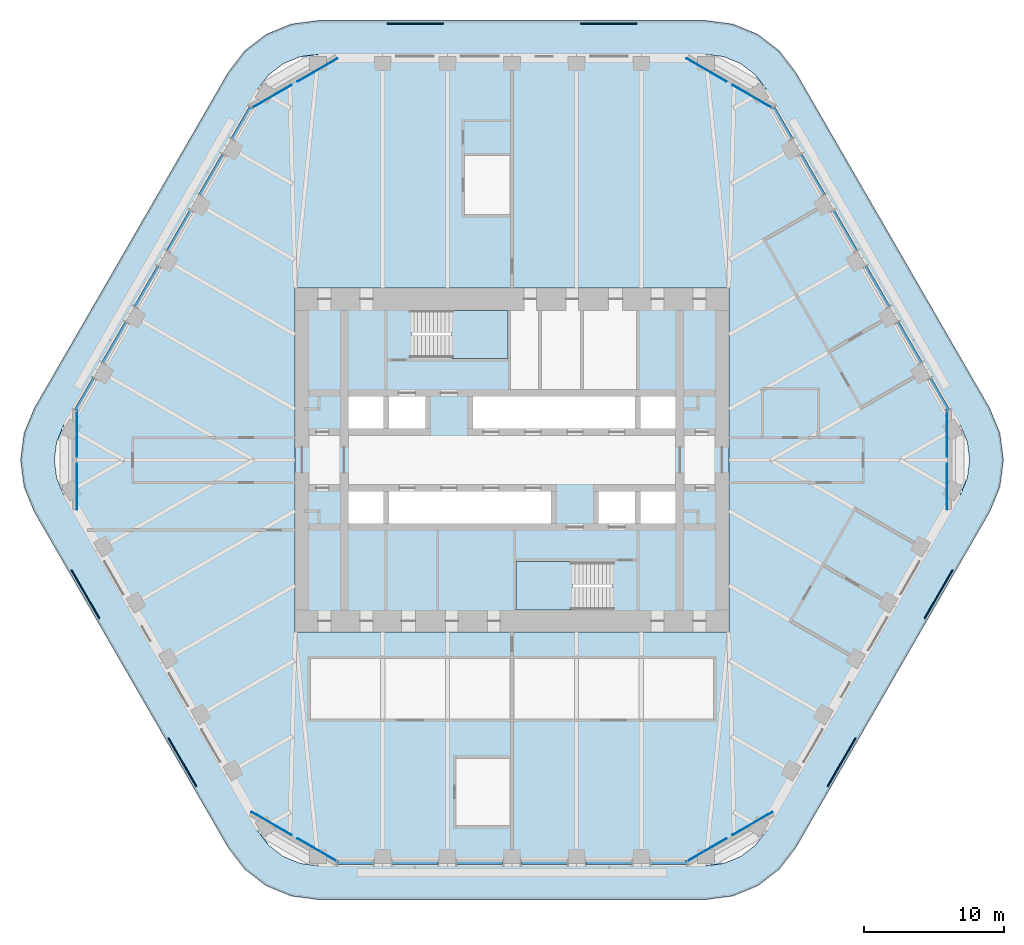
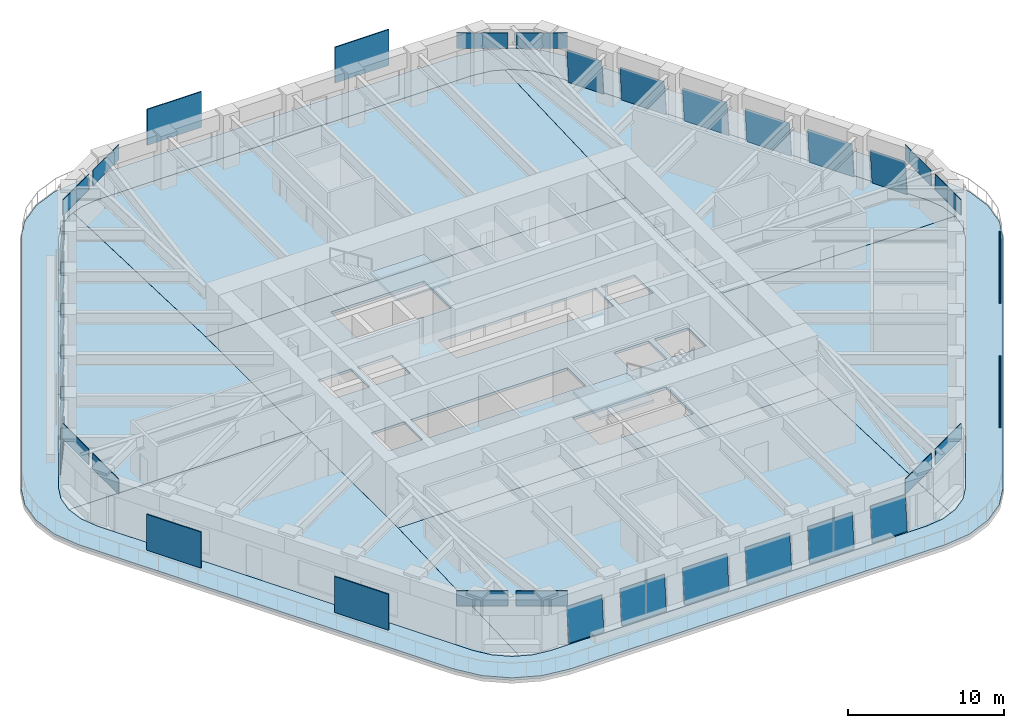
# One storey, part 13 of 20: 36 plates, 10 slabs, 20 elements without a shape of their own.
"""IFC4 building model written with IfcOpenShell, lengths in metres."""

from ifc_helpers import new_model, si_unit, direction, frame, origin, origin_2d, place, context, subcontext, project, spatial, polyline, rectangle, outline, extrude, material, layer, layer_set, type_object, element, aggregate, save


model = new_model("IFC4")

# Units and contexts
model_context = context("Model", 3, precision=1e-05, world=origin(), true_north=direction((0.0, 1.0)))
body_context = subcontext(model_context, "Body", "Model", "MODEL_VIEW")
ifc_project = project(units=[si_unit("LENGTHUNIT", "METRE"), si_unit("AREAUNIT", "SQUARE_METRE"), si_unit("VOLUMEUNIT", "CUBIC_METRE"), si_unit("PLANEANGLEUNIT", "RADIAN"), si_unit("MASSUNIT", "GRAM", prefix="KILO")], contexts=[model_context])

# Site, building, storey
site_placement = place(None, origin())
site = spatial("IfcSite", under=ifc_project, at=site_placement, CompositionType="ELEMENT")
building_placement = place(site_placement, origin())
building = spatial("IfcBuilding", under=site, at=building_placement, Name="Tarfa Lantern Tower", CompositionType="ELEMENT")
storey_placement = place(building_placement, frame((0.0, 0.0, 257.5)))
storey = spatial("IfcBuildingStorey", under=building, at=storey_placement, Name="L58", CompositionType="ELEMENT", Elevation=257.5)

# Slab
ifc_material_1 = material(Name="Concrete C40/50", Category="concrete")
ifc_layer_1 = layer(ifc_material_1, 0.199951171875)
ifc_layer_set_1 = layer_set([ifc_layer_1], Name="BS2 BALCONY SLAB 200")
slab_type_1 = type_object("IfcSlabType", Name="BS2 BALCONY SLAB 200", PredefinedType="FLOOR", material=ifc_layer_set_1)
slab_1_placement = place(storey_placement, frame((0.0, 0.0, -0.199951171875)))
element("IfcSlab", 1, at=slab_1_placement, inside=storey, type_object=slab_type_1, Name="Balcony L58", PredefinedType="FLOOR", context=body_context, shape_type="SweptSolid", body=[
    extrude(outline(polyline([(34.121337890625, 3.699951171875), (20.264892578125, 27.699951171875), (19.089111328125, 29.232666015625), (17.556396484375, 30.40869140625), (15.771728515625, 31.14794921875), (13.8564453125, 31.39990234375), (-13.8564453125, 31.39990234375), (-15.771728515625, 31.14794921875), (-17.556396484375, 30.40869140625), (-19.089111328125, 29.232666015625), (-20.264892578125, 27.699951171875), (-34.121337890625, 3.699951171875), (-34.860595703125, 1.915283203125), (-35.11279296875, 0.0), (-34.860595703125, -1.915283203125), (-34.121337890625, -3.699951171875), (-20.264892578125, -27.699951171875), (-19.089111328125, -29.232666015625), (-17.556396484375, -30.40869140625), (-15.771728515625, -31.14794921875), (-13.8564453125, -31.39990234375), (13.8564453125, -31.39990234375), (15.771728515625, -31.14794921875), (17.556396484375, -30.40869140625), (19.089111328125, -29.232666015625), (20.264892578125, -27.699951171875), (34.121337890625, -3.699951171875), (34.860595703125, -1.915283203125), (35.11279296875, 0.0), (34.860595703125, 1.915283203125), (34.121337890625, 3.699951171875)]), holes=[polyline([(32.04296875, 2.5), (18.1865234375, 26.5), (17.391845703125, 27.53564453125), (16.3564453125, 28.330078125), (15.150390625, 28.82958984375), (13.8564453125, 29.0), (-13.8564453125, 29.0), (-15.150390625, 28.82958984375), (-16.3564453125, 28.330078125), (-17.391845703125, 27.53564453125), (-18.1865234375, 26.5), (-32.04296875, 2.5), (-32.54248046875, 1.294189453125), (-32.712890625, 0.0), (-32.54248046875, -1.294189453125), (-32.04296875, -2.5), (-18.1865234375, -26.5), (-17.391845703125, -27.53564453125), (-16.3564453125, -28.330078125), (-15.150390625, -28.82958984375), (-13.8564453125, -29.0), (13.8564453125, -29.0), (15.150390625, -28.82958984375), (16.3564453125, -28.330078125), (17.391845703125, -27.53564453125), (18.1865234375, -26.5), (32.04296875, -2.5), (32.54248046875, -1.294189453125), (32.712890625, 0.0), (32.54248046875, 1.294189453125), (32.04296875, 2.5)])]), origin(), (0.0, 0.0, 1.0), 0.199951171875),
])

# Curtain wall, plate
ifc_material_2 = material(Name="Aluminium framed curtain wall", Category="aluminium")
curtain_wall_type = type_object("IfcCurtainWallType", Name="CW3 CANTED GLAZING HIGH ZONE 2800", PredefinedType="USERDEFINED", material=ifc_material_2)
curtain_wall_1_placement = place(storey_placement, origin())
curtain_wall_1 = element("IfcCurtainWall", 2, at=curtain_wall_1_placement, inside=storey, type_object=curtain_wall_type, Name="CW3 NE L58", ObjectType="CURTAIN WALL", PredefinedType="USERDEFINED")
ifc_material_3 = material(Name="Laminated double glazing", Category="glass")
ifc_layer_2 = layer(ifc_material_3, 0.028076171875)
ifc_layer_set_2 = layer_set([ifc_layer_2], Name="CWP1 DOUBLE GLAZED PANEL")
plate_type_1 = type_object("IfcPlateType", Name="CWP1 DOUBLE GLAZED PANEL", PredefinedType="CURTAIN_PANEL", material=ifc_layer_set_2)
plate_1_placement = place(storey_placement, frame((31.27392578125, 3.632080078125, 0.0), z_axis=(0.862605487661, 0.497996623416, 0.088944565453), x_axis=(-0.499978528097, 0.866037800231, 3.617793e-06)))
plate_1 = element("IfcPlate", 3, at=plate_1_placement, type_object=plate_type_1, Name="CW3 panel 1.1", PredefinedType="CURTAIN_PANEL", context=body_context, shape_type="SweptSolid", body=[
    extrude(outline(polyline([(0.0, 0.0), (2.5887966981179544, 1.3877787807814457e-17), (2.5887974391712834, 2.745981540411079), (0.00012280612366526554, 2.7460003459662934), (0.0, 0.0)])), origin(), (0.0, 0.0, -1.0), 0.028076171875),
])
aggregate(curtain_wall_1, [plate_1])

curtain_wall_2_placement = place(storey_placement, origin())
curtain_wall_2 = element("IfcCurtainWall", 4, at=curtain_wall_2_placement, inside=storey, type_object=curtain_wall_type, Name="CW3 NE L58", ObjectType="CURTAIN WALL", PredefinedType="USERDEFINED")
plate_2_placement = place(storey_placement, frame((29.314453125, 7.02587890625, 0.0), z_axis=(0.862575705038, 0.498055027356, 0.088906370994), x_axis=(-0.500035172766, 0.866005095826, 0.0)))
plate_2 = element("IfcPlate", 5, at=plate_2_placement, type_object=plate_type_1, Name="CW3 panel 1.1", PredefinedType="CURTAIN_PANEL", context=body_context, shape_type="SweptSolid", body=[
    extrude(outline(polyline([(0.0, 0.0), (3.2888311454247456, -2.7755575615628914e-17), (3.288837959805127, 2.7459815424216334), (6.8143803815395865e-06, 2.7459815424216334), (0.0, 0.0)])), origin(), (0.0, 0.0, -1.0), 0.028076171875),
])
aggregate(curtain_wall_2, [plate_2])

curtain_wall_3_placement = place(storey_placement, origin())
curtain_wall_3 = element("IfcCurtainWall", 6, at=curtain_wall_3_placement, inside=storey, type_object=curtain_wall_type, Name="CW3 NE L58", ObjectType="CURTAIN WALL", PredefinedType="USERDEFINED")
plate_3_placement = place(storey_placement, frame((27.005126953125, 11.02587890625, 0.0), z_axis=(0.862588760912, 0.498025595673, 0.088944564774), x_axis=(-0.500007556049, 0.866021041249, 2.847683e-06)))
plate_3 = element("IfcPlate", 7, at=plate_3_placement, type_object=plate_type_1, Name="CW3 panel 1.1", PredefinedType="CURTAIN_PANEL", context=body_context, shape_type="SweptSolid", body=[
    extrude(outline(polyline([(0.0, 0.0), (3.2888311437391393, -2.7755575615628914e-17), (3.288837961490737, 2.745981540402794), (0.00012888990883615277, 2.7460003456875546), (0.0, 0.0)])), origin(), (0.0, 0.0, -1.0), 0.028076171875),
])
aggregate(curtain_wall_3, [plate_3])

curtain_wall_4_placement = place(storey_placement, origin())
curtain_wall_4 = element("IfcCurtainWall", 8, at=curtain_wall_4_placement, inside=storey, type_object=curtain_wall_type, Name="CW3 NE L58", ObjectType="CURTAIN WALL", PredefinedType="USERDEFINED")
plate_4_placement = place(storey_placement, frame((24.695556640625, 15.02587890625, 0.0), z_axis=(0.862607722597, 0.497999572406, 0.08890637097), x_axis=(-0.499979497339, 0.866037240677, 0.0)))
plate_4 = element("IfcPlate", 9, at=plate_4_placement, type_object=plate_type_1, Name="CW3 panel 1.1", PredefinedType="CURTAIN_PANEL", context=body_context, shape_type="SweptSolid", body=[
    extrude(outline(polyline([(0.0, 0.0), (3.2887090733213356, 0.0), (3.2887001925491877, 2.745981542415729), (-8.880772147612515e-06, 2.745981542415729), (0.0, 0.0)])), origin(), (0.0, 0.0, -1.0), 0.028076171875),
])
aggregate(curtain_wall_4, [plate_4])

curtain_wall_5_placement = place(storey_placement, origin())
curtain_wall_5 = element("IfcCurtainWall", 10, at=curtain_wall_5_placement, inside=storey, type_object=curtain_wall_type, Name="CW3 NE L58", ObjectType="CURTAIN WALL", PredefinedType="USERDEFINED")
plate_5_placement = place(storey_placement, frame((22.38623046875, 19.02587890625, 0.0), z_axis=(0.862588760912, 0.498025595673, 0.088944564774), x_axis=(-0.500007115594, 0.866021295551, -2.847789e-06)))
plate_5 = element("IfcPlate", 11, at=plate_5_placement, type_object=plate_type_1, Name="CW3 panel 1.1", PredefinedType="CURTAIN_PANEL", context=body_context, shape_type="SweptSolid", body=[
    extrude(outline(polyline([(0.0, 0.0), (3.288709071635666, 0.0), (3.2888222595418823, 2.746000346379671), (-8.884143489794055e-06, 2.7459815403968855), (0.0, 0.0)])), origin(), (0.0, 0.0, -1.0), 0.028076171875),
])
aggregate(curtain_wall_5, [plate_5])

curtain_wall_6_placement = place(storey_placement, origin())
curtain_wall_6 = element("IfcCurtainWall", 12, at=curtain_wall_6_placement, inside=storey, type_object=curtain_wall_type, Name="CW3 NE L58", ObjectType="CURTAIN WALL", PredefinedType="USERDEFINED")
plate_6_placement = place(storey_placement, frame((20.076904296875, 23.02587890625, 0.0), z_axis=(0.862605487661, 0.497996623416, 0.088944565453), x_axis=(-0.499978528097, 0.866037800231, 3.617793e-06)))
plate_6 = element("IfcPlate", 13, at=plate_6_placement, type_object=plate_type_1, Name="CW3 panel 1.1", PredefinedType="CURTAIN_PANEL", context=body_context, shape_type="SweptSolid", body=[
    extrude(outline(polyline([(0.0, 0.0), (2.5887966981179544, 1.3877787807814457e-17), (2.5887974391712834, 2.745981540411079), (0.00012280612366526554, 2.7460003459662934), (0.0, 0.0)])), origin(), (0.0, 0.0, -1.0), 0.028076171875),
])
aggregate(curtain_wall_6, [plate_6])

curtain_wall_7_placement = place(storey_placement, origin())
curtain_wall_7 = element("IfcCurtainWall", 14, at=curtain_wall_7_placement, inside=storey, type_object=curtain_wall_type, Name="CW3 NW L58", ObjectType="CURTAIN WALL", PredefinedType="USERDEFINED")
plate_7_placement = place(storey_placement, frame((-18.782470703125, 25.267822265625, 0.0), z_axis=(-0.862605487661, 0.497996623416, 0.088944565453), x_axis=(-0.499978528097, -0.866037800231, -3.617793e-06)))
plate_7 = element("IfcPlate", 15, at=plate_7_placement, type_object=plate_type_1, Name="CW3 panel 1.1", PredefinedType="CURTAIN_PANEL", context=body_context, shape_type="SweptSolid", body=[
    extrude(outline(polyline([(0.0, 0.0), (2.5887966981179544, -1.3877787807814457e-17), (2.588673891994289, 2.7460003459662934), (-7.410533290658136e-07, 2.745981540411079), (0.0, 0.0)])), origin(), (0.0, 0.0, -1.0), 0.028076171875),
])
aggregate(curtain_wall_7, [plate_7])

curtain_wall_8_placement = place(storey_placement, origin())
curtain_wall_8 = element("IfcCurtainWall", 16, at=curtain_wall_8_placement, inside=storey, type_object=curtain_wall_type, Name="CW3 NW L58", ObjectType="CURTAIN WALL", PredefinedType="USERDEFINED")
plate_8_placement = place(storey_placement, frame((-20.741943359375, 21.8740234375, 0.0), z_axis=(-0.862588760912, 0.498025595673, 0.088944564774), x_axis=(-0.500007115594, -0.866021295551, 2.847789e-06)))
plate_8 = element("IfcPlate", 17, at=plate_8_placement, type_object=plate_type_1, Name="CW3 panel 1.1", PredefinedType="CURTAIN_PANEL", context=body_context, shape_type="SweptSolid", body=[
    extrude(outline(polyline([(0.0, 0.0), (3.288709071635666, 0.0), (3.2887179557791564, 2.7459815403968855), (-0.00011318790621565488, 2.746000346379671), (0.0, 0.0)])), origin(), (0.0, 0.0, -1.0), 0.028076171875),
])
aggregate(curtain_wall_8, [plate_8])

curtain_wall_9_placement = place(storey_placement, origin())
curtain_wall_9 = element("IfcCurtainWall", 18, at=curtain_wall_9_placement, inside=storey, type_object=curtain_wall_type, Name="CW3 NW L58", ObjectType="CURTAIN WALL", PredefinedType="USERDEFINED")
plate_9_placement = place(storey_placement, frame((-23.05126953125, 17.8740234375, 0.0), z_axis=(-0.862607722597, 0.497999572406, 0.08890637097), x_axis=(-0.499979497339, -0.866037240677, 0.0)))
plate_9 = element("IfcPlate", 19, at=plate_9_placement, type_object=plate_type_1, Name="CW3 panel 1.1", PredefinedType="CURTAIN_PANEL", context=body_context, shape_type="SweptSolid", body=[
    extrude(outline(polyline([(0.0, 0.0), (3.2887090733213356, 0.0), (3.288717954093483, 2.745981542415729), (8.880772147612515e-06, 2.745981542415729), (0.0, 0.0)])), origin(), (0.0, 0.0, -1.0), 0.028076171875),
])
aggregate(curtain_wall_9, [plate_9])

curtain_wall_10_placement = place(storey_placement, origin())
curtain_wall_10 = element("IfcCurtainWall", 20, at=curtain_wall_10_placement, inside=storey, type_object=curtain_wall_type, Name="CW3 NW L58", ObjectType="CURTAIN WALL", PredefinedType="USERDEFINED")
plate_10_placement = place(storey_placement, frame((-25.360595703125, 13.8740234375, 0.0), z_axis=(-0.862588760912, 0.498025595673, 0.088944564774), x_axis=(-0.500007556049, -0.866021041249, -2.847683e-06)))
plate_10 = element("IfcPlate", 21, at=plate_10_placement, type_object=plate_type_1, Name="CW3 panel 1.1", PredefinedType="CURTAIN_PANEL", context=body_context, shape_type="SweptSolid", body=[
    extrude(outline(polyline([(0.0, 0.0), (3.2888311437391393, 2.7755575615628914e-17), (3.2887022538303037, 2.7460003456875546), (-6.817751597527018e-06, 2.745981540402794), (0.0, 0.0)])), origin(), (0.0, 0.0, -1.0), 0.028076171875),
])
aggregate(curtain_wall_10, [plate_10])

curtain_wall_11_placement = place(storey_placement, origin())
curtain_wall_11 = element("IfcCurtainWall", 22, at=curtain_wall_11_placement, inside=storey, type_object=curtain_wall_type, Name="CW3 NW L58", ObjectType="CURTAIN WALL", PredefinedType="USERDEFINED")
plate_11_placement = place(storey_placement, frame((-27.669921875, 9.8740234375, 0.0), z_axis=(-0.862575705038, 0.498055027356, 0.088906370994), x_axis=(-0.500035172766, -0.866005095826, 0.0)))
plate_11 = element("IfcPlate", 23, at=plate_11_placement, type_object=plate_type_1, Name="CW3 panel 1.1", PredefinedType="CURTAIN_PANEL", context=body_context, shape_type="SweptSolid", body=[
    extrude(outline(polyline([(0.0, 0.0), (3.2888311454247456, 2.7755575615628914e-17), (3.2888243310443643, 2.7459815424216334), (-6.8143803815395865e-06, 2.7459815424216334), (0.0, 0.0)])), origin(), (0.0, 0.0, -1.0), 0.028076171875),
])
aggregate(curtain_wall_11, [plate_11])

curtain_wall_12_placement = place(storey_placement, origin())
curtain_wall_12 = element("IfcCurtainWall", 24, at=curtain_wall_12_placement, inside=storey, type_object=curtain_wall_type, Name="CW3 NW L58", ObjectType="CURTAIN WALL", PredefinedType="USERDEFINED")
plate_12_placement = place(storey_placement, frame((-29.9794921875, 5.8740234375, 0.0), z_axis=(-0.862605487661, 0.497996623416, 0.088944565453), x_axis=(-0.499978528097, -0.866037800231, -3.617793e-06)))
plate_12 = element("IfcPlate", 25, at=plate_12_placement, type_object=plate_type_1, Name="CW3 panel 1.1", PredefinedType="CURTAIN_PANEL", context=body_context, shape_type="SweptSolid", body=[
    extrude(outline(polyline([(0.0, 0.0), (2.5887966981179544, -1.3877787807814457e-17), (2.588673891994289, 2.7460003459662934), (-7.410533290658136e-07, 2.745981540411079), (0.0, 0.0)])), origin(), (0.0, 0.0, -1.0), 0.028076171875),
])
aggregate(curtain_wall_12, [plate_12])

curtain_wall_13_placement = place(storey_placement, origin())
curtain_wall_13 = element("IfcCurtainWall", 26, at=curtain_wall_13_placement, inside=storey, type_object=curtain_wall_type, Name="CW3 S L58", ObjectType="CURTAIN WALL", PredefinedType="USERDEFINED")
plate_13_placement = place(storey_placement, frame((-12.491455078125, -28.89990234375, 0.0), z_axis=(0.0, -0.996039814532, 0.088908311571), x_axis=(1.0, 0.0, 0.0)))
plate_13 = element("IfcPlate", 27, at=plate_13_placement, type_object=plate_type_1, Name="CW3 panel 1.1", PredefinedType="CURTAIN_PANEL", context=body_context, shape_type="SweptSolid", body=[
    extrude(outline(polyline([(0.0, 0.0), (2.5888671875, 0.0), (2.5888671875, 2.745982019965007), (0.0, 2.745982019965007), (0.0, 0.0)])), origin(), (0.0, 0.0, -1.0), 0.028076171875),
])
aggregate(curtain_wall_13, [plate_13])

curtain_wall_14_placement = place(storey_placement, origin())
curtain_wall_14 = element("IfcCurtainWall", 28, at=curtain_wall_14_placement, inside=storey, type_object=curtain_wall_type, Name="CW3 S L58", ObjectType="CURTAIN WALL", PredefinedType="USERDEFINED")
plate_14_placement = place(storey_placement, frame((-8.572509765625, -28.89990234375, 0.0), z_axis=(0.0, -0.996039814532, 0.088908311571), x_axis=(1.0, 0.0, 0.0)))
plate_14 = element("IfcPlate", 29, at=plate_14_placement, type_object=plate_type_1, Name="CW3 panel 1.1", PredefinedType="CURTAIN_PANEL", context=body_context, shape_type="SweptSolid", body=[
    extrude(outline(polyline([(0.0, 0.0), (3.288818359375, 0.0), (3.288818359375, 2.745982019965007), (0.0, 2.745982019965007), (0.0, 0.0)])), origin(), (0.0, 0.0, -1.0), 0.028076171875),
])
aggregate(curtain_wall_14, [plate_14])

curtain_wall_15_placement = place(storey_placement, origin())
curtain_wall_15 = element("IfcCurtainWall", 30, at=curtain_wall_15_placement, inside=storey, type_object=curtain_wall_type, Name="CW3 S L58", ObjectType="CURTAIN WALL", PredefinedType="USERDEFINED")
plate_15_placement = place(storey_placement, frame((-3.953857421875, -28.89990234375, 0.0), z_axis=(0.0, -0.996039814532, 0.088908311571), x_axis=(1.0, 0.0, 0.0)))
plate_15 = element("IfcPlate", 31, at=plate_15_placement, type_object=plate_type_1, Name="CW3 panel 1.1", PredefinedType="CURTAIN_PANEL", context=body_context, shape_type="SweptSolid", body=[
    extrude(outline(polyline([(0.0, 0.0), (3.288818359375, 0.0), (3.288818359375, 2.745982019965007), (0.0, 2.745982019965007), (0.0, 0.0)])), origin(), (0.0, 0.0, -1.0), 0.028076171875),
])
aggregate(curtain_wall_15, [plate_15])

curtain_wall_16_placement = place(storey_placement, origin())
curtain_wall_16 = element("IfcCurtainWall", 32, at=curtain_wall_16_placement, inside=storey, type_object=curtain_wall_type, Name="CW3 S L58", ObjectType="CURTAIN WALL", PredefinedType="USERDEFINED")
plate_16_placement = place(storey_placement, frame((0.6650390625, -28.89990234375, 0.0), z_axis=(0.0, -0.996039814532, 0.088908311571), x_axis=(1.0, 0.0, 0.0)))
plate_16 = element("IfcPlate", 33, at=plate_16_placement, type_object=plate_type_1, Name="CW3 panel 1.1", PredefinedType="CURTAIN_PANEL", context=body_context, shape_type="SweptSolid", body=[
    extrude(outline(polyline([(0.0, 0.0), (3.288818359375, 0.0), (3.288818359375, 2.745982019965007), (0.0, 2.745982019965007), (0.0, 0.0)])), origin(), (0.0, 0.0, -1.0), 0.028076171875),
])
aggregate(curtain_wall_16, [plate_16])

curtain_wall_17_placement = place(storey_placement, origin())
curtain_wall_17 = element("IfcCurtainWall", 34, at=curtain_wall_17_placement, inside=storey, type_object=curtain_wall_type, Name="CW3 S L58", ObjectType="CURTAIN WALL", PredefinedType="USERDEFINED")
plate_17_placement = place(storey_placement, frame((5.28369140625, -28.89990234375, 0.0), z_axis=(0.0, -0.996039814532, 0.088908311571), x_axis=(1.0, 0.0, 0.0)))
plate_17 = element("IfcPlate", 35, at=plate_17_placement, type_object=plate_type_1, Name="CW3 panel 1.1", PredefinedType="CURTAIN_PANEL", context=body_context, shape_type="SweptSolid", body=[
    extrude(outline(polyline([(0.0, 0.0), (3.288818359375, 0.0), (3.288818359375, 2.745982019965007), (0.0, 2.745982019965007), (0.0, 0.0)])), origin(), (0.0, 0.0, -1.0), 0.028076171875),
])
aggregate(curtain_wall_17, [plate_17])

curtain_wall_18_placement = place(storey_placement, origin())
curtain_wall_18 = element("IfcCurtainWall", 36, at=curtain_wall_18_placement, inside=storey, type_object=curtain_wall_type, Name="CW3 S L58", ObjectType="CURTAIN WALL", PredefinedType="USERDEFINED")
plate_18_placement = place(storey_placement, frame((9.902587890625, -28.89990234375, 0.0), z_axis=(0.0, -0.996039814532, 0.088908311571), x_axis=(1.0, 0.0, 0.0)))
plate_18 = element("IfcPlate", 37, at=plate_18_placement, type_object=plate_type_1, Name="CW3 panel 1.1", PredefinedType="CURTAIN_PANEL", context=body_context, shape_type="SweptSolid", body=[
    extrude(outline(polyline([(0.0, 0.0), (2.5888671875, 0.0), (2.5888671875, 2.745982019965007), (0.0, 2.745982019965007), (0.0, 0.0)])), origin(), (0.0, 0.0, -1.0), 0.028076171875),
])
aggregate(curtain_wall_18, [plate_18])

# Slabs
ifc_layer_3 = layer(ifc_material_1, 0.199951171875)
ifc_layer_set_3 = layer_set([ifc_layer_3], Name="FS1 FLOOR SLAB 200")
slab_type_2 = type_object("IfcSlabType", Name="FS1 FLOOR SLAB 200", PredefinedType="FLOOR", material=ifc_layer_set_3)
slab_2_placement = place(storey_placement, frame((0.0, 0.0, -0.199951171875)))
element("IfcSlab", 38, at=slab_2_placement, inside=storey, type_object=slab_type_2, Name="Floor slab L58", PredefinedType="FLOOR", context=body_context, shape_type="SweptSolid", body=[
    extrude(outline(polyline([(-15.5, -12.300048828125), (15.5, -12.300048828125), (15.5, 12.300048828125), (-15.5, 12.300048828125), (-15.5, -12.300048828125)]), holes=[polyline([(-11.699951171875, 2.25), (-9.199951171875, 2.25), (-9.199951171875, 4.550048828125), (-11.699951171875, 4.550048828125), (-11.699951171875, 2.25)]), polyline([(-8.800048828125, 2.25), (-6.199951171875, 2.25), (-6.199951171875, 4.550048828125), (-8.800048828125, 4.550048828125), (-8.800048828125, 2.25)]), polyline([(-2.800048828125, 2.25), (8.800048828125, 2.25), (8.800048828125, 4.550048828125), (-2.800048828125, 4.550048828125), (-2.800048828125, 2.25)]), polyline([(9.199951171875, 2.25), (11.699951171875, 2.25), (11.699951171875, 4.550048828125), (9.199951171875, 4.550048828125), (9.199951171875, 2.25)]), polyline([(11.699951171875, -2.25), (9.199951171875, -2.25), (9.199951171875, -4.550048828125), (11.699951171875, -4.550048828125), (11.699951171875, -2.25)]), polyline([(8.800048828125, -2.25), (6.199951171875, -2.25), (6.199951171875, -4.550048828125), (8.800048828125, -4.550048828125), (8.800048828125, -2.25)]), polyline([(2.800048828125, -2.25), (-8.800048828125, -2.25), (-8.800048828125, -4.550048828125), (2.800048828125, -4.550048828125), (2.800048828125, -2.25)]), polyline([(-9.199951171875, -2.25), (-11.699951171875, -2.25), (-11.699951171875, -4.550048828125), (-9.199951171875, -4.550048828125), (-9.199951171875, -2.25)]), polyline([(-7.199951171875, 7.25), (-0.300048828125, 7.25), (-0.300048828125, 10.699951171875), (-7.199951171875, 10.699951171875), (-7.199951171875, 7.25)]), polyline([(7.199951171875, -7.25), (0.300048828125, -7.25), (0.300048828125, -10.699951171875), (7.199951171875, -10.699951171875), (7.199951171875, -7.25)])]), origin(), (0.0, 0.0, 1.0), 0.199951171875),
])
slab_3_placement = place(storey_placement, frame((0.0, 0.0, -0.199951171875)))
element("IfcSlab", 39, at=slab_3_placement, inside=storey, type_object=slab_type_2, Name="Floor slab L58 NE bay", PredefinedType="FLOOR", context=body_context, shape_type="SweptSolid", body=[
    extrude(outline(polyline([(32.041259765625, 2.4990234375), (18.184814453125, 26.498779296875), (17.390625, 27.5341796875), (16.35546875, 28.328369140625), (15.927490234375, 28.505615234375), (15.501953125, 12.300048828125), (15.501953125, 0.001953125), (32.71044921875, 0.001953125), (32.54052734375, 1.29345703125), (32.041259765625, 2.4990234375)])), origin(), (0.0, 0.0, 1.0), 0.199951171875),
])
slab_4_placement = place(storey_placement, frame((0.0, 0.0, -0.199951171875)))
element("IfcSlab", 40, at=slab_4_placement, inside=storey, type_object=slab_type_2, Name="Floor slab L58 N bay", PredefinedType="FLOOR", context=body_context, shape_type="SweptSolid", body=[
    extrude(outline(polyline([(-15.498046875, 12.302001953125), (15.498046875, 12.302001953125), (15.923583984375, 28.50732421875), (15.14990234375, 28.82763671875), (13.856201171875, 28.998046875), (-13.856201171875, 28.998046875), (-15.14990234375, 28.82763671875), (-15.923583984375, 28.50732421875), (-15.498046875, 12.302001953125)])), origin(), (0.0, 0.0, 1.0), 0.199951171875),
])
slab_5_placement = place(storey_placement, frame((0.0, 0.0, -0.199951171875)))
element("IfcSlab", 41, at=slab_5_placement, inside=storey, type_object=slab_type_2, Name="Floor slab L58 NW bay", PredefinedType="FLOOR", context=body_context, shape_type="SweptSolid", body=[
    extrude(outline(polyline([(-15.501953125, 0.001953125), (-15.501953125, 12.300048828125), (-15.927490234375, 28.505615234375), (-16.35546875, 28.328369140625), (-17.390625, 27.5341796875), (-18.184814453125, 26.498779296875), (-32.041259765625, 2.4990234375), (-32.54052734375, 1.29345703125), (-32.71044921875, 0.001953125), (-15.501953125, 0.001953125)])), origin(), (0.0, 0.0, 1.0), 0.199951171875),
])
slab_6_placement = place(storey_placement, frame((0.0, 0.0, -0.199951171875)))
element("IfcSlab", 42, at=slab_6_placement, inside=storey, type_object=slab_type_2, Name="Floor slab L58 SW bay", PredefinedType="FLOOR", context=body_context, shape_type="SweptSolid", body=[
    extrude(outline(polyline([(-15.501953125, -12.300048828125), (-15.501953125, -0.001953125), (-32.71044921875, -0.001953125), (-32.54052734375, -1.29345703125), (-32.041259765625, -2.4990234375), (-18.184814453125, -26.498779296875), (-17.390625, -27.5341796875), (-16.35546875, -28.328369140625), (-15.927490234375, -28.505615234375), (-15.501953125, -12.300048828125)])), origin(), (0.0, 0.0, 1.0), 0.199951171875),
])
slab_7_placement = place(storey_placement, frame((0.0, 0.0, -0.199951171875)))
element("IfcSlab", 43, at=slab_7_placement, inside=storey, type_object=slab_type_2, Name="Floor slab L58 S bay", PredefinedType="FLOOR", context=body_context, shape_type="SweptSolid", body=[
    extrude(outline(polyline([(15.498046875, -12.302001953125), (-15.498046875, -12.302001953125), (-15.923583984375, -28.50732421875), (-15.14990234375, -28.82763671875), (-13.856201171875, -28.998046875), (13.856201171875, -28.998046875), (15.14990234375, -28.82763671875), (15.923583984375, -28.50732421875), (15.498046875, -12.302001953125)])), origin(), (0.0, 0.0, 1.0), 0.199951171875),
])
slab_8_placement = place(storey_placement, frame((0.0, 0.0, -0.199951171875)))
element("IfcSlab", 44, at=slab_8_placement, inside=storey, type_object=slab_type_2, Name="Floor slab L58 SE bay", PredefinedType="FLOOR", context=body_context, shape_type="SweptSolid", body=[
    extrude(outline(polyline([(15.501953125, -0.001953125), (15.501953125, -12.300048828125), (15.927490234375, -28.505615234375), (16.35546875, -28.328369140625), (17.390625, -27.5341796875), (18.184814453125, -26.498779296875), (32.041259765625, -2.4990234375), (32.54052734375, -1.29345703125), (32.71044921875, -0.001953125), (15.501953125, -0.001953125)])), origin(), (0.0, 0.0, 1.0), 0.199951171875),
])

# Plates
ifc_material_4 = material(Name="Aluminium fascia panel", Category="aluminium")
ifc_layer_4 = layer(ifc_material_4, 0.050048828125)
ifc_layer_set_4 = layer_set([ifc_layer_4], Name="LF1 LOGGIA HEAD FASCIA 50")
plate_type_2 = type_object("IfcPlateType", Name="LF1 LOGGIA HEAD FASCIA 50", PredefinedType="USERDEFINED", material=ifc_layer_set_4)
for number, where, z_axis, x_axis, name in (
    (45, (17.18994140625, 25.972900390625, 2.7998046875), (0.0, 0.0, 1.0), (-0.866025403784, 0.5, 0.0), "Garden head fascia NE-N"),
    (46, (13.898193359375, 27.873291015625, 2.7998046875), (0.0, 0.0, 1.0), (-0.866025403784, 0.5, 0.0), "Garden head fascia NE-N"),
    (47, (-13.898193359375, 27.873291015625, 2.7998046875), (0.0, 0.0, 1.0), (-0.866025403784, -0.5, 0.0), "Garden head fascia N-NW"),
    (48, (-17.18994140625, 25.972900390625, 2.7998046875), (0.0, 0.0, 1.0), (-0.866025403784, -0.5, 0.0), "Garden head fascia N-NW"),
    (49, (-31.088134765625, 1.900390625, 2.7998046875), (0.0, 0.0, 1.0), (0.0, -1.0, 0.0), "Garden head fascia NW-SW"),
    (50, (-31.088134765625, -1.900390625, 2.7998046875), (0.0, 0.0, 1.0), (0.0, -1.0, 0.0), "Garden head fascia NW-SW"),
    (51, (-17.18994140625, -25.972900390625, 2.7998046875), (0.0, 0.0, 1.0), (0.866025403784, -0.5, 0.0), "Garden head fascia SW-S"),
    (52, (-13.898193359375, -27.873291015625, 2.7998046875), (0.0, 0.0, 1.0), (0.866025403784, -0.5, 0.0), "Garden head fascia SW-S"),
    (53, (13.898193359375, -27.873291015625, 2.7998046875), (0.0, 0.0, 1.0), (0.866025403784, 0.5, 0.0), "Garden head fascia S-SE"),
    (54, (17.18994140625, -25.972900390625, 2.7998046875), (0.0, 0.0, 1.0), (0.866025403784, 0.5, 0.0), "Garden head fascia S-SE"),
    (55, (31.088134765625, -1.900390625, 2.7998046875), (0.0, 0.0, 1.0), (0.0, 1.0, 0.0), "Garden head fascia SE-NE"),
    (56, (31.088134765625, 1.900390625, 2.7998046875), (0.0, 0.0, 1.0), (0.0, 1.0, 0.0), "Garden head fascia SE-NE"),
):
    element("IfcPlate", number, at=place(storey_placement, frame(where, z_axis=z_axis, x_axis=x_axis)), inside=storey, type_object=plate_type_2, Name=name, ObjectType="FASCIA", PredefinedType="USERDEFINED", context=body_context, shape_type="SweptSolid", body=[
        extrude(rectangle(XDim=3.30078125, YDim=0.050048828125, at=origin_2d()), origin(), (0.0, 0.0, 1.0), 1.199951171875),
    ])
ifc_material_5 = material(Name="Perforated limestone screen", Category="masonry")
ifc_layer_5 = layer(ifc_material_5, 0.080078125)
ifc_layer_set_5 = layer_set([ifc_layer_5], Name="SC1 STONE SCREEN 80")
plate_type_3 = type_object("IfcPlateType", Name="SC1 STONE SCREEN 80", PredefinedType="USERDEFINED", material=ifc_layer_set_5)
for number, where, z_axis, x_axis, name in (
    (57, (6.92822265625, 31.199951171875, 1.2001953125), (0.0, 0.0, 1.0), (-1.0, 0.0, 0.0), "Stone screen N 1"),
    (58, (-6.92822265625, 31.199951171875, 1.2001953125), (0.0, 0.0, 1.0), (-1.0, 0.0, 0.0), "Stone screen N 2"),
    (59, (-30.484130859375, -9.60009765625, 1.2001953125), (0.0, 0.0, 1.0), (0.5, -0.866025403784, 0.0), "Stone screen SW 1"),
    (60, (-23.555908203125, -21.60009765625, 1.2001953125), (0.0, 0.0, 1.0), (0.5, -0.866025403784, 0.0), "Stone screen SW 2"),
    (61, (23.555908203125, -21.60009765625, 1.2001953125), (0.0, 0.0, 1.0), (0.5, 0.866025403784, 0.0), "Stone screen SE 1"),
    (62, (30.484130859375, -9.60009765625, 1.2001953125), (0.0, 0.0, 1.0), (0.5, 0.866025403784, 0.0), "Stone screen SE 2"),
):
    element("IfcPlate", number, at=place(storey_placement, frame(where, z_axis=z_axis, x_axis=x_axis)), inside=storey, type_object=plate_type_3, Name=name, ObjectType="SCREEN", PredefinedType="USERDEFINED", context=body_context, shape_type="SweptSolid", body=[
        extrude(rectangle(XDim=4.0, YDim=0.080078125, at=origin_2d()), origin(), (0.0, 0.0, 1.0), 2.800048828125),
    ])

# Stair, slab
stair_type = type_object("IfcStairType", Name="ST-T10 HALF-TURN STAIR 4200 RISE", PredefinedType="HALF_TURN_STAIR", material=ifc_material_1)
stair_1_placement = place(storey_placement, origin())
stair_1 = element("IfcStair", 63, at=stair_1_placement, inside=storey, type_object=stair_type, Name="Stair ST1", PredefinedType="HALF_TURN_STAIR")
ifc_layer_6 = layer(ifc_material_1, 0.199951171875)
ifc_layer_set_6 = layer_set([ifc_layer_6], Name="SL1 STAIR LANDING 200")
slab_type_3 = type_object("IfcSlabType", Name="SL1 STAIR LANDING 200", PredefinedType="LANDING", material=ifc_layer_set_6)
slab_9_placement = place(storey_placement, frame((0.0, 0.0, 1.89990234375)))
slab_9 = element("IfcSlab", 64, at=slab_9_placement, type_object=slab_type_3, Name="ST1 landing 1", PredefinedType="LANDING", context=body_context, shape_type="SweptSolid", body=[
    extrude(outline(polyline([(-4.320068359375, 7.25), (-0.300048828125, 7.25), (-0.300048828125, 10.699951171875), (-4.320068359375, 10.699951171875), (-4.320068359375, 7.25)])), origin(), (0.0, 0.0, 1.0), 0.2001953125),
])
aggregate(stair_1, [slab_9])

stair_2_placement = place(storey_placement, origin())
stair_2 = element("IfcStair", 65, at=stair_2_placement, inside=storey, type_object=stair_type, Name="Stair ST2", PredefinedType="HALF_TURN_STAIR")
slab_10_placement = place(storey_placement, frame((0.0, 0.0, 1.89990234375)))
slab_10 = element("IfcSlab", 66, at=slab_10_placement, type_object=slab_type_3, Name="ST2 landing 1", PredefinedType="LANDING", context=body_context, shape_type="SweptSolid", body=[
    extrude(outline(polyline([(4.320068359375, -7.25), (0.300048828125, -7.25), (0.300048828125, -10.699951171875), (4.320068359375, -10.699951171875), (4.320068359375, -7.25)])), origin(), (0.0, 0.0, 1.0), 0.2001953125),
])
aggregate(stair_2, [slab_10])

save(model, "model.ifc")
